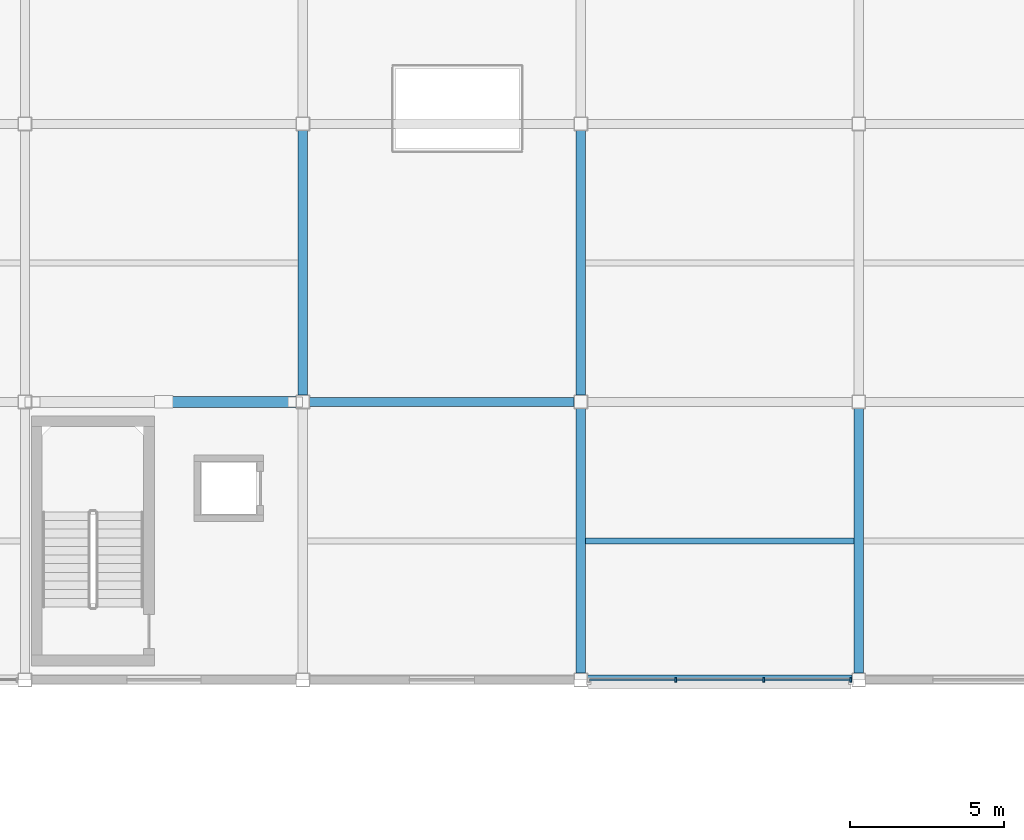
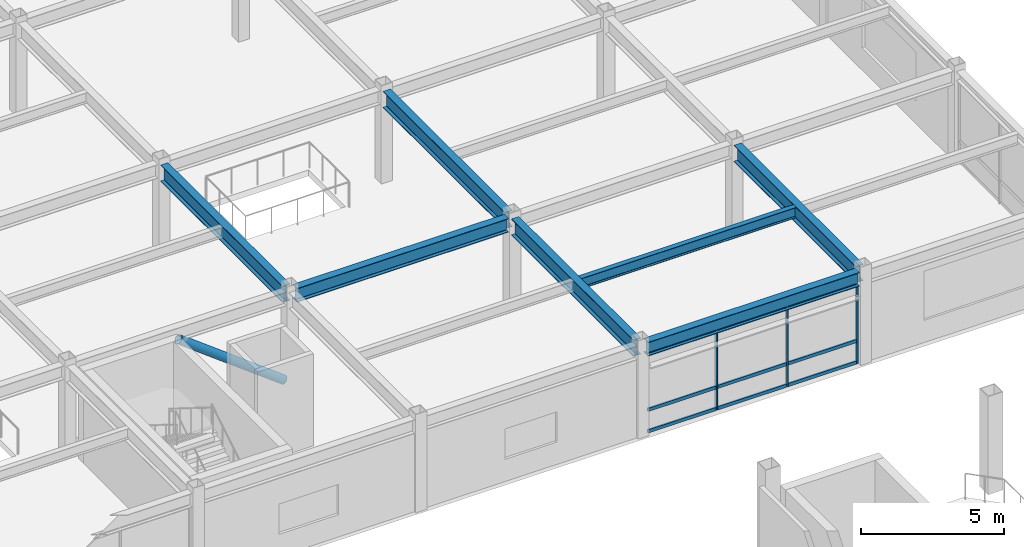
# One storey, part 42 of 105: 13 members, 7 beams, 1 element without a shape of its own.
"""IFC4 building model written with IfcOpenShell, lengths in metres."""

from ifc_helpers import new_model, si_unit, direction, frame, origin, origin_2d, place, context, subcontext, project, spatial, rectangle, hollow_circle, i_section, extrude, material, material_profile, profile_set, type_object, element, aggregate, save


model = new_model("IFC4")

# Units and contexts
model_context = context("Model", 3, precision=1e-05, world=origin(), true_north=direction((0.0, 1.0)))
body_context = subcontext(model_context, "Body", "Model", "MODEL_VIEW")
ifc_project = project(units=[si_unit("LENGTHUNIT", "METRE"), si_unit("AREAUNIT", "SQUARE_METRE"), si_unit("VOLUMEUNIT", "CUBIC_METRE"), si_unit("PLANEANGLEUNIT", "RADIAN"), si_unit("MASSUNIT", "GRAM", prefix="KILO")], contexts=[model_context])

# Site, building, storey
site_placement = place(None, origin())
site = spatial("IfcSite", under=ifc_project, at=site_placement, CompositionType="ELEMENT")
building_placement = place(site_placement, origin())
building = spatial("IfcBuilding", under=site, at=building_placement, Name="Suzunagisa Mobility Hub", CompositionType="ELEMENT")
storey_placement = place(building_placement, frame((0.0, 0.0, 5.10009765625)))
storey = spatial("IfcBuildingStorey", under=building, at=storey_placement, Name="L01", CompositionType="ELEMENT", Elevation=5.10009765625)

# Curtain wall, members
ifc_material_1 = material(Name="Thermally Broken Anodized Aluminum and Low-E Glazing", Category="aluminium")
curtain_wall_type = type_object("IfcCurtainWallType", Name="Unitised Curtain Wall CW-29 8500x3400", PredefinedType="USERDEFINED", material=ifc_material_1)
curtain_wall_placement = place(storey_placement, origin())
curtain_wall = element("IfcCurtainWall", 1, at=curtain_wall_placement, inside=storey, type_object=curtain_wall_type, Name="L01 Unitised Curtain Wall CW-102", ObjectType="UNITISED CURTAIN WALL", PredefinedType="USERDEFINED")
ifc_material_2 = material(Name="Anodized Aluminum 6063-T6", Category="aluminium")
ifc_material_profile_1 = material_profile(ifc_material_2, rectangle(XDim=0.06494140625, YDim=0.139892578125, at=origin_2d()), Name="TRAN-65x140")
ifc_profile_set_1 = profile_set([ifc_material_profile_1], Name="Anodized Aluminum 6063-T6")
member_type_1 = type_object("IfcMemberType", Name="Curtain Wall Framing CM-01 TRAN-65x140", PredefinedType="USERDEFINED", material=ifc_profile_set_1)
member_1_placement = place(storey_placement, frame((108.282958984375, 80.0, 0.032470703125), z_axis=(1.0, 0.0, 0.0), x_axis=(0.0, 1.0, 0.0)))
member_1 = element("IfcMember", 2, at=member_1_placement, type_object=member_type_1, Name="Curtain Wall Transom 102-T1.1", ObjectType="TRANSOM", PredefinedType="USERDEFINED", context=body_context, shape_type="SweptSolid", body=[
    extrude(rectangle(XDim=0.06494140625, YDim=0.139892578125, at=origin_2d()), origin(), (0.0, 0.0, 1.0), 2.76416015625),
])
member_2_placement = place(storey_placement, frame((108.282958984375, 80.0, 0.949951171875), z_axis=(1.0, 0.0, 0.0), x_axis=(0.0, 1.0, 0.0)))
member_2 = element("IfcMember", 3, at=member_2_placement, type_object=member_type_1, Name="Curtain Wall Transom 102-T1.2", ObjectType="TRANSOM", PredefinedType="USERDEFINED", context=body_context, shape_type="SweptSolid", body=[
    extrude(rectangle(XDim=0.06494140625, YDim=0.139892578125, at=origin_2d()), origin(), (0.0, 0.0, 1.0), 2.76416015625),
])
member_3_placement = place(storey_placement, frame((108.282958984375, 80.0, 3.3193359375), z_axis=(1.0, 0.0, 0.0), x_axis=(0.0, 1.0, 0.0)))
member_3 = element("IfcMember", 4, at=member_3_placement, type_object=member_type_1, Name="Curtain Wall Transom 102-T1.3", ObjectType="TRANSOM", PredefinedType="USERDEFINED", context=body_context, shape_type="SweptSolid", body=[
    extrude(rectangle(XDim=0.06494140625, YDim=0.139892578125, at=origin_2d()), origin(), (0.0, 0.0, 1.0), 2.76416015625),
])
member_4_placement = place(storey_placement, frame((111.10302734375, 80.0, 0.032470703125), z_axis=(1.0, 0.0, 0.0), x_axis=(0.0, 1.0, 0.0)))
member_4 = element("IfcMember", 5, at=member_4_placement, type_object=member_type_1, Name="Curtain Wall Transom 102-T2.1", ObjectType="TRANSOM", PredefinedType="USERDEFINED", context=body_context, shape_type="SweptSolid", body=[
    extrude(rectangle(XDim=0.06494140625, YDim=0.139892578125, at=origin_2d()), origin(), (0.0, 0.0, 1.0), 2.7939453125),
])
member_5_placement = place(storey_placement, frame((111.10302734375, 80.0, 0.949951171875), z_axis=(1.0, 0.0, 0.0), x_axis=(0.0, 1.0, 0.0)))
member_5 = element("IfcMember", 6, at=member_5_placement, type_object=member_type_1, Name="Curtain Wall Transom 102-T2.2", ObjectType="TRANSOM", PredefinedType="USERDEFINED", context=body_context, shape_type="SweptSolid", body=[
    extrude(rectangle(XDim=0.06494140625, YDim=0.139892578125, at=origin_2d()), origin(), (0.0, 0.0, 1.0), 2.7939453125),
])
member_6_placement = place(storey_placement, frame((111.10302734375, 80.0, 3.3193359375), z_axis=(1.0, 0.0, 0.0), x_axis=(0.0, 1.0, 0.0)))
member_6 = element("IfcMember", 7, at=member_6_placement, type_object=member_type_1, Name="Curtain Wall Transom 102-T2.3", ObjectType="TRANSOM", PredefinedType="USERDEFINED", context=body_context, shape_type="SweptSolid", body=[
    extrude(rectangle(XDim=0.06494140625, YDim=0.139892578125, at=origin_2d()), origin(), (0.0, 0.0, 1.0), 2.7939453125),
])
member_7_placement = place(storey_placement, frame((113.952880859375, 80.0, 0.032470703125), z_axis=(1.0, 0.0, 0.0), x_axis=(0.0, 1.0, 0.0)))
member_7 = element("IfcMember", 8, at=member_7_placement, type_object=member_type_1, Name="Curtain Wall Transom 102-T3.1", ObjectType="TRANSOM", PredefinedType="USERDEFINED", context=body_context, shape_type="SweptSolid", body=[
    extrude(rectangle(XDim=0.06494140625, YDim=0.139892578125, at=origin_2d()), origin(), (0.0, 0.0, 1.0), 2.76416015625),
])
member_8_placement = place(storey_placement, frame((113.952880859375, 80.0, 0.949951171875), z_axis=(1.0, 0.0, 0.0), x_axis=(0.0, 1.0, 0.0)))
member_8 = element("IfcMember", 9, at=member_8_placement, type_object=member_type_1, Name="Curtain Wall Transom 102-T3.2", ObjectType="TRANSOM", PredefinedType="USERDEFINED", context=body_context, shape_type="SweptSolid", body=[
    extrude(rectangle(XDim=0.06494140625, YDim=0.139892578125, at=origin_2d()), origin(), (0.0, 0.0, 1.0), 2.76416015625),
])
member_9_placement = place(storey_placement, frame((113.952880859375, 80.0, 3.3193359375), z_axis=(1.0, 0.0, 0.0), x_axis=(0.0, 1.0, 0.0)))
member_9 = element("IfcMember", 10, at=member_9_placement, type_object=member_type_1, Name="Curtain Wall Transom 102-T3.3", ObjectType="TRANSOM", PredefinedType="USERDEFINED", context=body_context, shape_type="SweptSolid", body=[
    extrude(rectangle(XDim=0.06494140625, YDim=0.139892578125, at=origin_2d()), origin(), (0.0, 0.0, 1.0), 2.76416015625),
])
ifc_material_profile_2 = material_profile(ifc_material_2, rectangle(XDim=0.06005859375, YDim=0.14990234375, at=origin_2d()), Name="MULL-60x150")
ifc_profile_set_2 = profile_set([ifc_material_profile_2], Name="Anodized Aluminum 6063-T6")
member_type_2 = type_object("IfcMemberType", Name="Curtain Wall Framing CM-03 MULL-60x150", PredefinedType="MULLION", material=ifc_profile_set_2)
member_10_placement = place(storey_placement, frame((111.074951171875, 80.0, 0.0), z_axis=(0.0, 0.0, 1.0), x_axis=(1.0, 0.0, 0.0)))
member_10 = element("IfcMember", 11, at=member_10_placement, type_object=member_type_2, Name="Curtain Wall Mullion 102-M2", PredefinedType="MULLION", context=body_context, shape_type="SweptSolid", body=[
    extrude(rectangle(XDim=0.06005859375, YDim=0.14990234375, at=origin_2d()), origin(), (0.0, 0.0, 1.0), 3.351806640625),
])
member_11_placement = place(storey_placement, frame((113.925048828125, 80.0, 0.0), z_axis=(0.0, 0.0, 1.0), x_axis=(1.0, 0.0, 0.0)))
member_11 = element("IfcMember", 12, at=member_11_placement, type_object=member_type_2, Name="Curtain Wall Mullion 102-M3", PredefinedType="MULLION", context=body_context, shape_type="SweptSolid", body=[
    extrude(rectangle(XDim=0.06005859375, YDim=0.14990234375, at=origin_2d()), origin(), (0.0, 0.0, 1.0), 3.351806640625),
])
member_12_placement = place(storey_placement, frame((116.7451171875, 80.0, 0.0), z_axis=(0.0, 0.0, 1.0), x_axis=(1.0, 0.0, 0.0)))
member_12 = element("IfcMember", 13, at=member_12_placement, type_object=member_type_2, Name="Curtain Wall Mullion 102-M4", PredefinedType="MULLION", context=body_context, shape_type="SweptSolid", body=[
    extrude(rectangle(XDim=0.06005859375, YDim=0.14990234375, at=origin_2d()), origin(), (0.0, 0.0, 1.0), 3.351806640625),
])
aggregate(curtain_wall, [member_10, member_11, member_12, member_1, member_2, member_3, member_4, member_5, member_6, member_7, member_8, member_9])

# Member
ifc_material_3 = material(Name="Steel SN490B", Category="steel")
ifc_material_profile_3 = material_profile(ifc_material_3, hollow_circle(Radius=0.177734375, WallThickness=0.0126953125, at=origin_2d()), Name="CHS-355.6x12.7")
ifc_profile_set_3 = profile_set([ifc_material_profile_3], Name="Steel SN490B")
member_type_3 = type_object("IfcMemberType", Name="Roof Truss and Brace Member MB-03 CHS-355.6x12.7", PredefinedType="BRACE", material=ifc_profile_set_3)
member_13_placement = place(storey_placement, frame((98.7548828125, 89.0, 0.119873046875), z_axis=(-0.797577166711, 0.0, 0.603216928759), x_axis=(0.0, -1.0, 0.0)))
element("IfcMember", 14, at=member_13_placement, inside=storey, type_object=member_type_3, Name="L01 Concentric Lateral Brace BR-42", PredefinedType="BRACE", context=body_context, shape_type="SweptSolid", body=[
    extrude(hollow_circle(Radius=0.177734375, WallThickness=0.0126953125, at=origin_2d()), origin(), (0.0, 0.0, 1.0), 5.334716796875),
])

# Beams
ifc_material_4 = material(Name="Steel SN400B", Category="steel")
ifc_material_profile_4 = material_profile(ifc_material_4, i_section(OverallWidth=0.199951171875, OverallDepth=0.449951171875, WebThickness=0.009033203125, FlangeThickness=0.013916015625, FilletRadius=0.012939453125, at=origin_2d()), Name="H-450x200x9x14")
ifc_profile_set_4 = profile_set([ifc_material_profile_4], Name="Steel SN400B")
beam_type_1 = type_object("IfcBeamType", Name="Steel Beam BM-05 H-450x200x9x14", PredefinedType="JOIST", material=ifc_profile_set_4)
beam_placement = place(storey_placement, frame((108.14990234375, 84.5, 3.71484375), z_axis=(1.0, 0.0, 0.0), x_axis=(0.0, 1.0, 0.0)))
element("IfcBeam", 15, at=beam_placement, inside=storey, type_object=beam_type_1, Name="L01 Composite Floor Joist J-908", PredefinedType="JOIST", context=body_context, shape_type="SweptSolid", body=[
    extrude(i_section(OverallWidth=0.199951171875, OverallDepth=0.449951171875, WebThickness=0.009033203125, FlangeThickness=0.013916015625, FilletRadius=0.012939453125, at=origin_2d()), origin(), (0.0, 0.0, 1.0), 8.7001953125),
])
ifc_material_profile_5 = material_profile(ifc_material_3, i_section(OverallWidth=0.300048828125, OverallDepth=0.699951171875, WebThickness=0.012939453125, FlangeThickness=0.02392578125, FilletRadius=0.01806640625, at=origin_2d()), Name="H-700x300x13x24")
ifc_profile_set_5 = profile_set([ifc_material_profile_5], Name="Steel SN490B")
beam_type_2 = type_object("IfcBeamType", Name="Steel Beam BM-11 H-700x300x13x24", PredefinedType="BEAM", material=ifc_profile_set_5)
for number, where, z_axis, x_axis, name in (
    (16, (99.0, 89.220947265625, 3.58984375), (0.0, 1.0, 0.0), (-1.0, 0.0, 0.0), "L01 Primary Girder GY-871"),
    (17, (108.0, 80.220947265625, 3.58984375), (0.0, 1.0, 0.0), (-1.0, 0.0, 0.0), "L01 Primary Girder GY-874"),
    (18, (108.0, 89.220947265625, 3.58984375), (0.0, 1.0, 0.0), (-1.0, 0.0, 0.0), "L01 Primary Girder GY-875"),
    (19, (117.0, 80.220947265625, 3.58984375), (0.0, 1.0, 0.0), (-1.0, 0.0, 0.0), "L01 Primary Girder GY-878"),
):
    element("IfcBeam", number, at=place(storey_placement, frame(where, z_axis=z_axis, x_axis=x_axis)), inside=storey, type_object=beam_type_2, Name=name, PredefinedType="BEAM", context=body_context, shape_type="SweptSolid", body=[
        extrude(i_section(OverallWidth=0.300048828125, OverallDepth=0.699951171875, WebThickness=0.012939453125, FlangeThickness=0.02392578125, FilletRadius=0.01806640625, at=origin_2d()), origin(), (0.0, 0.0, 1.0), 8.55810546875),
    ])
ifc_material_profile_6 = material_profile(ifc_material_3, i_section(OverallWidth=0.300048828125, OverallDepth=0.587890625, WebThickness=0.011962890625, FlangeThickness=0.02001953125, FilletRadius=0.012939453125, at=origin_2d()), Name="H-588x300x12x20")
ifc_profile_set_6 = profile_set([ifc_material_profile_6], Name="Steel SN490B")
beam_type_3 = type_object("IfcBeamType", Name="Steel Beam BM-16 H-588x300x12x20", PredefinedType="BEAM", material=ifc_profile_set_6)
for number, where, z_axis, x_axis, name in (
    (20, (108.220947265625, 80.0, 3.64599609375), (1.0, 0.0, 0.0), (0.0, 1.0, 0.0), "L01 Primary Girder GX-809"),
    (21, (99.220947265625, 89.0, 3.64599609375), (1.0, 0.0, 0.0), (0.0, 1.0, 0.0), "L01 Primary Girder GX-817"),
):
    element("IfcBeam", number, at=place(storey_placement, frame(where, z_axis=z_axis, x_axis=x_axis)), inside=storey, type_object=beam_type_3, Name=name, PredefinedType="BEAM", context=body_context, shape_type="SweptSolid", body=[
        extrude(i_section(OverallWidth=0.300048828125, OverallDepth=0.587890625, WebThickness=0.011962890625, FlangeThickness=0.02001953125, FilletRadius=0.012939453125, at=origin_2d()), origin(), (0.0, 0.0, 1.0), 8.55810546875),
    ])

save(model, "model.ifc")
